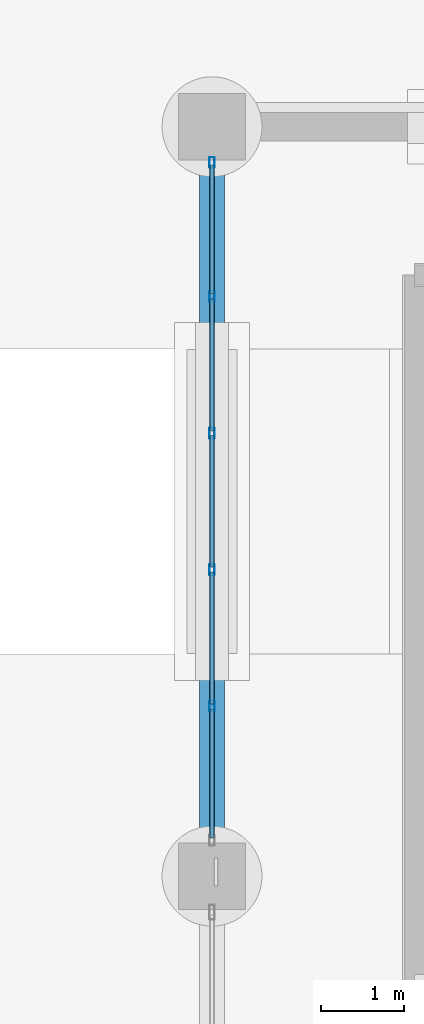
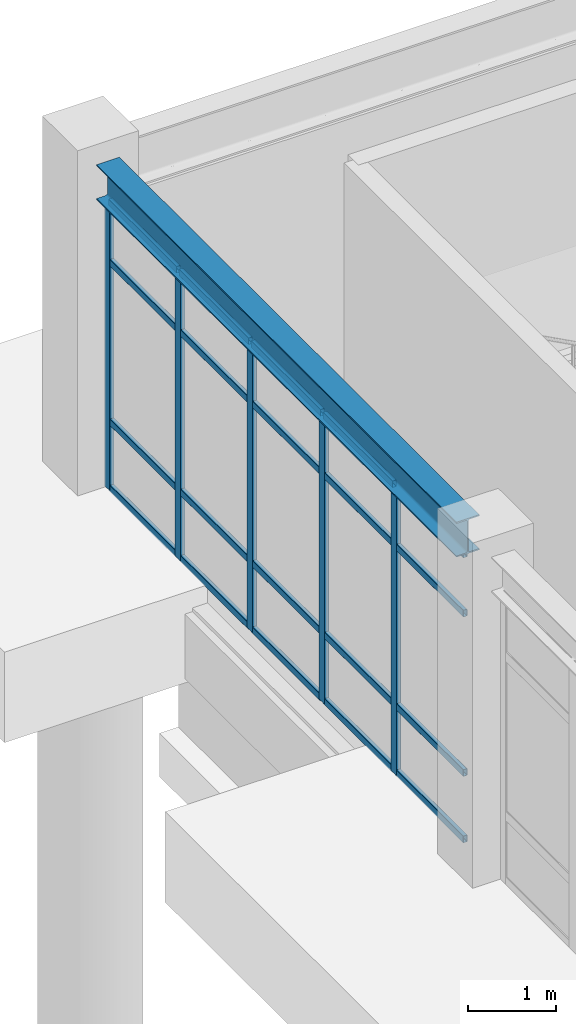
# One storey, part 48 of 98: 25 members, 1 beam, 1 element without a shape of its own.
"""IFC4 building model written with IfcOpenShell, lengths in metres."""

from ifc_helpers import new_model, si_unit, direction, frame, origin, origin_2d, place, context, subcontext, project, spatial, hollow_rectangle, i_section, extrude, material, material_profile, profile_set, type_object, element, aggregate, save


model = new_model("IFC4")

# Units and contexts
model_context = context("Model", 3, precision=1e-05, world=origin(), true_north=direction((0.0, 1.0)))
body_context = subcontext(model_context, "Body", "Model", "MODEL_VIEW")
ifc_project = project(units=[si_unit("LENGTHUNIT", "METRE"), si_unit("AREAUNIT", "SQUARE_METRE"), si_unit("VOLUMEUNIT", "CUBIC_METRE"), si_unit("PLANEANGLEUNIT", "RADIAN"), si_unit("MASSUNIT", "GRAM", prefix="KILO")], contexts=[model_context])

# Site, building, storey
site_placement = place(None, origin())
site = spatial("IfcSite", under=ifc_project, at=site_placement, CompositionType="ELEMENT")
building_placement = place(site_placement, origin())
building = spatial("IfcBuilding", under=site, at=building_placement, Name="Canglan Escarpment Cableway Terminal", CompositionType="ELEMENT")
storey_placement = place(building_placement, frame((0.0, 0.0, 9.60009765625)))
storey = spatial("IfcBuildingStorey", under=building, at=storey_placement, Name="L02", CompositionType="ELEMENT", Elevation=9.60009765625)

# Beam
ifc_material_1 = material(Name="Steel Q355B", Category="steel")
ifc_material_profile_1 = material_profile(ifc_material_1, i_section(OverallWidth=0.300048828125, OverallDepth=0.488037109375, WebThickness=0.010986328125, FlangeThickness=0.01806640625, FilletRadius=0.02587890625, at=origin_2d()), Name="HM 488x300x11x18")
ifc_profile_set_1 = profile_set([ifc_material_profile_1], Name="Steel Q355B")
beam_type = type_object("IfcBeamType", Name="BM-HM488", PredefinedType="BEAM", material=ifc_profile_set_1)
beam_placement = place(storey_placement, frame((115.10009765625, 70.39990234375, 4.27587890625), z_axis=(0.0, 1.0, 0.0), x_axis=(-1.0, 0.0, 0.0)))
element("IfcBeam", 1, at=beam_placement, inside=storey, type_object=beam_type, Name="Primary transverse girder B-09", PredefinedType="BEAM", context=body_context, shape_type="SweptSolid", body=[
    extrude(i_section(OverallWidth=0.300048828125, OverallDepth=0.488037109375, WebThickness=0.010986328125, FlangeThickness=0.01806640625, FilletRadius=0.02587890625, at=origin_2d()), origin(), (0.0, 0.0, 1.0), 8.2001953125),
])

# Curtain wall, members
ifc_material_2 = material(Name="Anodized bronze aluminium and Low-E double glazing", Category="aluminium")
curtain_wall_type = type_object("IfcCurtainWallType", Name="CW-BAY-8200x4025", PredefinedType="NOTDEFINED", material=ifc_material_2)
curtain_wall_placement = place(storey_placement, origin())
curtain_wall = element("IfcCurtainWall", 2, at=curtain_wall_placement, inside=storey, type_object=curtain_wall_type, Name="Classical bay-between-piers glazed curtain wall CW-44", PredefinedType="NOTDEFINED")
ifc_material_3 = material(Name="Thermally broken anodized aluminium 6063-T6", Category="aluminium")
ifc_material_profile_2 = material_profile(ifc_material_3, hollow_rectangle(XDim=0.06005859375, YDim=0.1298828125, WallThickness=0.0029296875, InnerFilletRadius=0.0029296875, OuterFilletRadius=0.006103515625, at=origin_2d()), Name="ALU-MULL 60x130x3")
ifc_profile_set_2 = profile_set([ifc_material_profile_2], Name="Thermally broken anodized aluminium 6063-T6")
member_type_1 = type_object("IfcMemberType", Name="CWM-01", PredefinedType="MULLION", material=ifc_profile_set_2)
member_1_placement = place(storey_placement, frame((115.10009765625, 78.570068359375, 0.0), z_axis=(0.0, 0.0, 1.0), x_axis=(1.0, 0.0, 0.0)))
member_1 = element("IfcMember", 3, at=member_1_placement, type_object=member_type_1, Name="CW-44 mullion 1", PredefinedType="MULLION", context=body_context, shape_type="SweptSolid", body=[
    extrude(hollow_rectangle(XDim=0.06005859375, YDim=0.1298828125, WallThickness=0.0029296875, InnerFilletRadius=0.0029296875, OuterFilletRadius=0.006103515625, at=origin_2d()), origin(), (0.0, 0.0, 1.0), 4.016845703125),
])
member_2_placement = place(storey_placement, frame((115.10009765625, 76.9599609375, 0.0), z_axis=(0.0, 0.0, 1.0), x_axis=(1.0, 0.0, 0.0)))
member_2 = element("IfcMember", 4, at=member_2_placement, type_object=member_type_1, Name="CW-44 mullion 2", PredefinedType="MULLION", context=body_context, shape_type="SweptSolid", body=[
    extrude(hollow_rectangle(XDim=0.06005859375, YDim=0.1298828125, WallThickness=0.0029296875, InnerFilletRadius=0.0029296875, OuterFilletRadius=0.006103515625, at=origin_2d()), origin(), (0.0, 0.0, 1.0), 4.016845703125),
])
member_3_placement = place(storey_placement, frame((115.10009765625, 75.320068359375, 0.0), z_axis=(0.0, 0.0, 1.0), x_axis=(1.0, 0.0, 0.0)))
member_3 = element("IfcMember", 5, at=member_3_placement, type_object=member_type_1, Name="CW-44 mullion 3", PredefinedType="MULLION", context=body_context, shape_type="SweptSolid", body=[
    extrude(hollow_rectangle(XDim=0.06005859375, YDim=0.1298828125, WallThickness=0.0029296875, InnerFilletRadius=0.0029296875, OuterFilletRadius=0.006103515625, at=origin_2d()), origin(), (0.0, 0.0, 1.0), 4.016845703125),
])
member_4_placement = place(storey_placement, frame((115.10009765625, 73.679931640625, 0.0), z_axis=(0.0, 0.0, 1.0), x_axis=(1.0, 0.0, 0.0)))
member_4 = element("IfcMember", 6, at=member_4_placement, type_object=member_type_1, Name="CW-44 mullion 4", PredefinedType="MULLION", context=body_context, shape_type="SweptSolid", body=[
    extrude(hollow_rectangle(XDim=0.06005859375, YDim=0.1298828125, WallThickness=0.0029296875, InnerFilletRadius=0.0029296875, OuterFilletRadius=0.006103515625, at=origin_2d()), origin(), (0.0, 0.0, 1.0), 4.016845703125),
])
member_5_placement = place(storey_placement, frame((115.10009765625, 72.0400390625, 0.0), z_axis=(0.0, 0.0, 1.0), x_axis=(1.0, 0.0, 0.0)))
member_5 = element("IfcMember", 7, at=member_5_placement, type_object=member_type_1, Name="CW-44 mullion 5", PredefinedType="MULLION", context=body_context, shape_type="SweptSolid", body=[
    extrude(hollow_rectangle(XDim=0.06005859375, YDim=0.1298828125, WallThickness=0.0029296875, InnerFilletRadius=0.0029296875, OuterFilletRadius=0.006103515625, at=origin_2d()), origin(), (0.0, 0.0, 1.0), 4.016845703125),
])
ifc_material_profile_3 = material_profile(ifc_material_3, hollow_rectangle(XDim=0.054931640625, YDim=0.094970703125, WallThickness=0.0029296875, InnerFilletRadius=0.0029296875, OuterFilletRadius=0.006103515625, at=origin_2d()), Name="ALU-TRAN 55x95x3")
ifc_profile_set_3 = profile_set([ifc_material_profile_3], Name="Thermally broken anodized aluminium 6063-T6")
member_type_2 = type_object("IfcMemberType", Name="CWT-01", PredefinedType="USERDEFINED", material=ifc_profile_set_3)
member_6_placement = place(storey_placement, frame((115.10009765625, 78.5400390625, 0.02734375), z_axis=(0.0, -1.0, 0.0), x_axis=(1.0, 0.0, 0.0)))
member_6 = element("IfcMember", 8, at=member_6_placement, type_object=member_type_2, Name="CW-44 transom 1.1", ObjectType="TRANSOM", PredefinedType="USERDEFINED", context=body_context, shape_type="SweptSolid", body=[
    extrude(hollow_rectangle(XDim=0.054931640625, YDim=0.094970703125, WallThickness=0.0029296875, InnerFilletRadius=0.0029296875, OuterFilletRadius=0.006103515625, at=origin_2d()), origin(), (0.0, 0.0, 1.0), 1.550048828125),
])
member_7_placement = place(storey_placement, frame((115.10009765625, 78.5400390625, 0.949951171875), z_axis=(0.0, -1.0, 0.0), x_axis=(1.0, 0.0, 0.0)))
member_7 = element("IfcMember", 9, at=member_7_placement, type_object=member_type_2, Name="CW-44 transom 1.2", ObjectType="TRANSOM", PredefinedType="USERDEFINED", context=body_context, shape_type="SweptSolid", body=[
    extrude(hollow_rectangle(XDim=0.054931640625, YDim=0.094970703125, WallThickness=0.0029296875, InnerFilletRadius=0.0029296875, OuterFilletRadius=0.006103515625, at=origin_2d()), origin(), (0.0, 0.0, 1.0), 1.550048828125),
])
member_8_placement = place(storey_placement, frame((115.10009765625, 78.5400390625, 3.1669921875), z_axis=(0.0, -1.0, 0.0), x_axis=(1.0, 0.0, 0.0)))
member_8 = element("IfcMember", 10, at=member_8_placement, type_object=member_type_2, Name="CW-44 transom 1.3", ObjectType="TRANSOM", PredefinedType="USERDEFINED", context=body_context, shape_type="SweptSolid", body=[
    extrude(hollow_rectangle(XDim=0.054931640625, YDim=0.094970703125, WallThickness=0.0029296875, InnerFilletRadius=0.0029296875, OuterFilletRadius=0.006103515625, at=origin_2d()), origin(), (0.0, 0.0, 1.0), 1.550048828125),
])
member_9_placement = place(storey_placement, frame((115.10009765625, 78.5400390625, 3.989501953125), z_axis=(0.0, -1.0, 0.0), x_axis=(1.0, 0.0, 0.0)))
member_9 = element("IfcMember", 11, at=member_9_placement, type_object=member_type_2, Name="CW-44 transom 1.4", ObjectType="TRANSOM", PredefinedType="USERDEFINED", context=body_context, shape_type="SweptSolid", body=[
    extrude(hollow_rectangle(XDim=0.054931640625, YDim=0.094970703125, WallThickness=0.0029296875, InnerFilletRadius=0.0029296875, OuterFilletRadius=0.006103515625, at=origin_2d()), origin(), (0.0, 0.0, 1.0), 1.550048828125),
])
member_10_placement = place(storey_placement, frame((115.10009765625, 76.929931640625, 0.02734375), z_axis=(0.0, -1.0, 0.0), x_axis=(1.0, 0.0, 0.0)))
member_10 = element("IfcMember", 12, at=member_10_placement, type_object=member_type_2, Name="CW-44 transom 2.1", ObjectType="TRANSOM", PredefinedType="USERDEFINED", context=body_context, shape_type="SweptSolid", body=[
    extrude(hollow_rectangle(XDim=0.054931640625, YDim=0.094970703125, WallThickness=0.0029296875, InnerFilletRadius=0.0029296875, OuterFilletRadius=0.006103515625, at=origin_2d()), origin(), (0.0, 0.0, 1.0), 1.579833984375),
])
member_11_placement = place(storey_placement, frame((115.10009765625, 76.929931640625, 0.949951171875), z_axis=(0.0, -1.0, 0.0), x_axis=(1.0, 0.0, 0.0)))
member_11 = element("IfcMember", 13, at=member_11_placement, type_object=member_type_2, Name="CW-44 transom 2.2", ObjectType="TRANSOM", PredefinedType="USERDEFINED", context=body_context, shape_type="SweptSolid", body=[
    extrude(hollow_rectangle(XDim=0.054931640625, YDim=0.094970703125, WallThickness=0.0029296875, InnerFilletRadius=0.0029296875, OuterFilletRadius=0.006103515625, at=origin_2d()), origin(), (0.0, 0.0, 1.0), 1.579833984375),
])
member_12_placement = place(storey_placement, frame((115.10009765625, 76.929931640625, 3.1669921875), z_axis=(0.0, -1.0, 0.0), x_axis=(1.0, 0.0, 0.0)))
member_12 = element("IfcMember", 14, at=member_12_placement, type_object=member_type_2, Name="CW-44 transom 2.3", ObjectType="TRANSOM", PredefinedType="USERDEFINED", context=body_context, shape_type="SweptSolid", body=[
    extrude(hollow_rectangle(XDim=0.054931640625, YDim=0.094970703125, WallThickness=0.0029296875, InnerFilletRadius=0.0029296875, OuterFilletRadius=0.006103515625, at=origin_2d()), origin(), (0.0, 0.0, 1.0), 1.579833984375),
])
member_13_placement = place(storey_placement, frame((115.10009765625, 76.929931640625, 3.989501953125), z_axis=(0.0, -1.0, 0.0), x_axis=(1.0, 0.0, 0.0)))
member_13 = element("IfcMember", 15, at=member_13_placement, type_object=member_type_2, Name="CW-44 transom 2.4", ObjectType="TRANSOM", PredefinedType="USERDEFINED", context=body_context, shape_type="SweptSolid", body=[
    extrude(hollow_rectangle(XDim=0.054931640625, YDim=0.094970703125, WallThickness=0.0029296875, InnerFilletRadius=0.0029296875, OuterFilletRadius=0.006103515625, at=origin_2d()), origin(), (0.0, 0.0, 1.0), 1.579833984375),
])
member_14_placement = place(storey_placement, frame((115.10009765625, 75.2900390625, 0.02734375), z_axis=(0.0, -1.0, 0.0), x_axis=(1.0, 0.0, 0.0)))
member_14 = element("IfcMember", 16, at=member_14_placement, type_object=member_type_2, Name="CW-44 transom 3.1", ObjectType="TRANSOM", PredefinedType="USERDEFINED", context=body_context, shape_type="SweptSolid", body=[
    extrude(hollow_rectangle(XDim=0.054931640625, YDim=0.094970703125, WallThickness=0.0029296875, InnerFilletRadius=0.0029296875, OuterFilletRadius=0.006103515625, at=origin_2d()), origin(), (0.0, 0.0, 1.0), 1.580078125),
])
member_15_placement = place(storey_placement, frame((115.10009765625, 75.2900390625, 0.949951171875), z_axis=(0.0, -1.0, 0.0), x_axis=(1.0, 0.0, 0.0)))
member_15 = element("IfcMember", 17, at=member_15_placement, type_object=member_type_2, Name="CW-44 transom 3.2", ObjectType="TRANSOM", PredefinedType="USERDEFINED", context=body_context, shape_type="SweptSolid", body=[
    extrude(hollow_rectangle(XDim=0.054931640625, YDim=0.094970703125, WallThickness=0.0029296875, InnerFilletRadius=0.0029296875, OuterFilletRadius=0.006103515625, at=origin_2d()), origin(), (0.0, 0.0, 1.0), 1.580078125),
])
member_16_placement = place(storey_placement, frame((115.10009765625, 75.2900390625, 3.1669921875), z_axis=(0.0, -1.0, 0.0), x_axis=(1.0, 0.0, 0.0)))
member_16 = element("IfcMember", 18, at=member_16_placement, type_object=member_type_2, Name="CW-44 transom 3.3", ObjectType="TRANSOM", PredefinedType="USERDEFINED", context=body_context, shape_type="SweptSolid", body=[
    extrude(hollow_rectangle(XDim=0.054931640625, YDim=0.094970703125, WallThickness=0.0029296875, InnerFilletRadius=0.0029296875, OuterFilletRadius=0.006103515625, at=origin_2d()), origin(), (0.0, 0.0, 1.0), 1.580078125),
])
member_17_placement = place(storey_placement, frame((115.10009765625, 75.2900390625, 3.989501953125), z_axis=(0.0, -1.0, 0.0), x_axis=(1.0, 0.0, 0.0)))
member_17 = element("IfcMember", 19, at=member_17_placement, type_object=member_type_2, Name="CW-44 transom 3.4", ObjectType="TRANSOM", PredefinedType="USERDEFINED", context=body_context, shape_type="SweptSolid", body=[
    extrude(hollow_rectangle(XDim=0.054931640625, YDim=0.094970703125, WallThickness=0.0029296875, InnerFilletRadius=0.0029296875, OuterFilletRadius=0.006103515625, at=origin_2d()), origin(), (0.0, 0.0, 1.0), 1.580078125),
])
member_18_placement = place(storey_placement, frame((115.10009765625, 73.64990234375, 0.02734375), z_axis=(0.0, -1.0, 0.0), x_axis=(1.0, 0.0, 0.0)))
member_18 = element("IfcMember", 20, at=member_18_placement, type_object=member_type_2, Name="CW-44 transom 4.1", ObjectType="TRANSOM", PredefinedType="USERDEFINED", context=body_context, shape_type="SweptSolid", body=[
    extrude(hollow_rectangle(XDim=0.054931640625, YDim=0.094970703125, WallThickness=0.0029296875, InnerFilletRadius=0.0029296875, OuterFilletRadius=0.006103515625, at=origin_2d()), origin(), (0.0, 0.0, 1.0), 1.579833984375),
])
member_19_placement = place(storey_placement, frame((115.10009765625, 73.64990234375, 0.949951171875), z_axis=(0.0, -1.0, 0.0), x_axis=(1.0, 0.0, 0.0)))
member_19 = element("IfcMember", 21, at=member_19_placement, type_object=member_type_2, Name="CW-44 transom 4.2", ObjectType="TRANSOM", PredefinedType="USERDEFINED", context=body_context, shape_type="SweptSolid", body=[
    extrude(hollow_rectangle(XDim=0.054931640625, YDim=0.094970703125, WallThickness=0.0029296875, InnerFilletRadius=0.0029296875, OuterFilletRadius=0.006103515625, at=origin_2d()), origin(), (0.0, 0.0, 1.0), 1.579833984375),
])
member_20_placement = place(storey_placement, frame((115.10009765625, 73.64990234375, 3.1669921875), z_axis=(0.0, -1.0, 0.0), x_axis=(1.0, 0.0, 0.0)))
member_20 = element("IfcMember", 22, at=member_20_placement, type_object=member_type_2, Name="CW-44 transom 4.3", ObjectType="TRANSOM", PredefinedType="USERDEFINED", context=body_context, shape_type="SweptSolid", body=[
    extrude(hollow_rectangle(XDim=0.054931640625, YDim=0.094970703125, WallThickness=0.0029296875, InnerFilletRadius=0.0029296875, OuterFilletRadius=0.006103515625, at=origin_2d()), origin(), (0.0, 0.0, 1.0), 1.579833984375),
])
member_21_placement = place(storey_placement, frame((115.10009765625, 73.64990234375, 3.989501953125), z_axis=(0.0, -1.0, 0.0), x_axis=(1.0, 0.0, 0.0)))
member_21 = element("IfcMember", 23, at=member_21_placement, type_object=member_type_2, Name="CW-44 transom 4.4", ObjectType="TRANSOM", PredefinedType="USERDEFINED", context=body_context, shape_type="SweptSolid", body=[
    extrude(hollow_rectangle(XDim=0.054931640625, YDim=0.094970703125, WallThickness=0.0029296875, InnerFilletRadius=0.0029296875, OuterFilletRadius=0.006103515625, at=origin_2d()), origin(), (0.0, 0.0, 1.0), 1.579833984375),
])
member_22_placement = place(storey_placement, frame((115.10009765625, 72.010009765625, 0.02734375), z_axis=(0.0, -1.0, 0.0), x_axis=(1.0, 0.0, 0.0)))
member_22 = element("IfcMember", 24, at=member_22_placement, type_object=member_type_2, Name="CW-44 transom 5.1", ObjectType="TRANSOM", PredefinedType="USERDEFINED", context=body_context, shape_type="SweptSolid", body=[
    extrude(hollow_rectangle(XDim=0.054931640625, YDim=0.094970703125, WallThickness=0.0029296875, InnerFilletRadius=0.0029296875, OuterFilletRadius=0.006103515625, at=origin_2d()), origin(), (0.0, 0.0, 1.0), 1.550048828125),
])
member_23_placement = place(storey_placement, frame((115.10009765625, 72.010009765625, 0.949951171875), z_axis=(0.0, -1.0, 0.0), x_axis=(1.0, 0.0, 0.0)))
member_23 = element("IfcMember", 25, at=member_23_placement, type_object=member_type_2, Name="CW-44 transom 5.2", ObjectType="TRANSOM", PredefinedType="USERDEFINED", context=body_context, shape_type="SweptSolid", body=[
    extrude(hollow_rectangle(XDim=0.054931640625, YDim=0.094970703125, WallThickness=0.0029296875, InnerFilletRadius=0.0029296875, OuterFilletRadius=0.006103515625, at=origin_2d()), origin(), (0.0, 0.0, 1.0), 1.550048828125),
])
member_24_placement = place(storey_placement, frame((115.10009765625, 72.010009765625, 3.1669921875), z_axis=(0.0, -1.0, 0.0), x_axis=(1.0, 0.0, 0.0)))
member_24 = element("IfcMember", 26, at=member_24_placement, type_object=member_type_2, Name="CW-44 transom 5.3", ObjectType="TRANSOM", PredefinedType="USERDEFINED", context=body_context, shape_type="SweptSolid", body=[
    extrude(hollow_rectangle(XDim=0.054931640625, YDim=0.094970703125, WallThickness=0.0029296875, InnerFilletRadius=0.0029296875, OuterFilletRadius=0.006103515625, at=origin_2d()), origin(), (0.0, 0.0, 1.0), 1.550048828125),
])
member_25_placement = place(storey_placement, frame((115.10009765625, 72.010009765625, 3.989501953125), z_axis=(0.0, -1.0, 0.0), x_axis=(1.0, 0.0, 0.0)))
member_25 = element("IfcMember", 27, at=member_25_placement, type_object=member_type_2, Name="CW-44 transom 5.4", ObjectType="TRANSOM", PredefinedType="USERDEFINED", context=body_context, shape_type="SweptSolid", body=[
    extrude(hollow_rectangle(XDim=0.054931640625, YDim=0.094970703125, WallThickness=0.0029296875, InnerFilletRadius=0.0029296875, OuterFilletRadius=0.006103515625, at=origin_2d()), origin(), (0.0, 0.0, 1.0), 1.550048828125),
])
aggregate(curtain_wall, [member_1, member_2, member_3, member_4, member_5, member_6, member_7, member_8, member_9, member_10, member_11, member_12, member_13, member_14, member_15, member_16, member_17, member_18, member_19, member_20, member_21, member_22, member_23, member_24, member_25])

save(model, "model.ifc")
